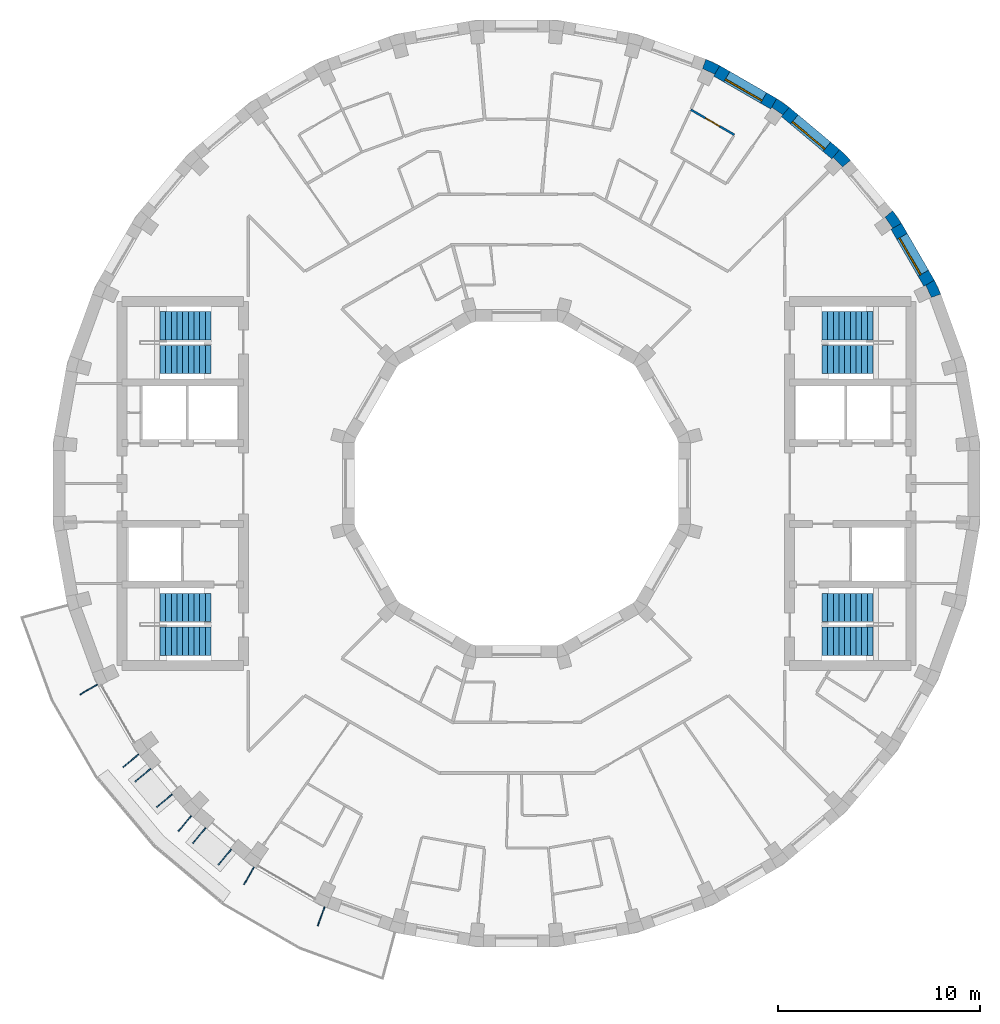
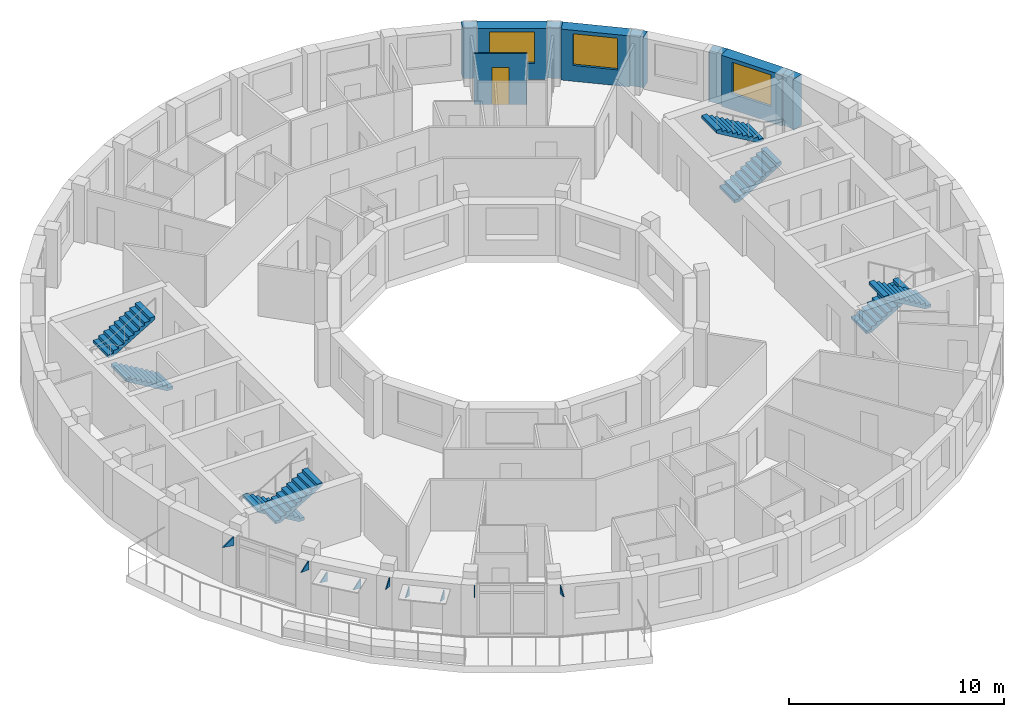
# One storey, part 11 of 12: 9 discrete accessories, 9 walls, 8 stair flights, 3 windows, 1 door, 4 openings, 4 elements without a shape of their own.
"""IFC4 building model written with IfcOpenShell, lengths in metres."""

from ifc_helpers import new_model, si_unit, direction, frame, frame_2d, origin, place, context, subcontext, project, spatial, polyline, rectangle, outline, extrude, material, layer, layer_set, type_object, element, fill, aggregate, save


model = new_model("IFC4")

# Units and contexts
model_context = context("Model", 3, precision=1e-05, world=origin(), true_north=direction((0.0, 1.0)))
body_context = subcontext(model_context, "Body", "Model", "MODEL_VIEW")
ifc_project = project(units=[si_unit("LENGTHUNIT", "METRE"), si_unit("AREAUNIT", "SQUARE_METRE"), si_unit("VOLUMEUNIT", "CUBIC_METRE"), si_unit("PLANEANGLEUNIT", "RADIAN"), si_unit("MASSUNIT", "GRAM", prefix="KILO")], contexts=[model_context])

# Site, building, storey
site_placement = place(None, origin())
site = spatial("IfcSite", under=ifc_project, at=site_placement, CompositionType="ELEMENT")
building_placement = place(site_placement, origin())
building = spatial("IfcBuilding", under=site, at=building_placement, Name="Saqina Gate Tower", CompositionType="ELEMENT")
storey_placement = place(building_placement, frame((0.0, 0.0, 262.699951171875)))
storey = spatial("IfcBuildingStorey", under=building, at=storey_placement, Name="L75", CompositionType="ELEMENT", Elevation=262.699951171875)

# Walls
ifc_material_1 = material(Name="Brick masonry (buff)", Category="masonry")
wall_type_1 = type_object("IfcWallType", Name="BRICK PIER COPING BUFF", PredefinedType="SOLIDWALL", material=ifc_material_1)
wall_1_placement = place(storey_placement, origin())
element("IfcWall", 1, at=wall_1_placement, inside=storey, type_object=wall_type_1, Name="Pier cap L75 column 3", PredefinedType="SOLIDWALL", context=body_context, shape_type="SweptSolid", body=[
    extrude(outline(polyline([(20.974609375, 9.3642578125), (20.65576171875, 10.048095703125), (20.135986328125, 9.748291015625), (20.23193359375, 9.79296875), (20.506591796875, 9.203857421875), (20.410888671875, 9.1591796875), (20.974609375, 9.3642578125)])), origin(), (0.0, 0.0, 1.0), 2.900146484375),
])
wall_2_placement = place(storey_placement, origin())
element("IfcWall", 2, at=wall_2_placement, inside=storey, type_object=wall_type_1, Name="Pier cap L75 column 4", PredefinedType="SOLIDWALL", context=body_context, shape_type="SweptSolid", body=[
    extrude(outline(polyline([(19.02978515625, 12.8642578125), (18.59716796875, 13.482421875), (18.137451171875, 13.0966796875), (18.22412109375, 13.157470703125), (18.596923828125, 12.625), (18.51025390625, 12.564208984375), (19.02978515625, 12.8642578125)])), origin(), (0.0, 0.0, 1.0), 2.900146484375),
])
wall_3_placement = place(storey_placement, origin())
element("IfcWall", 3, at=wall_3_placement, inside=storey, type_object=wall_type_1, Name="Pier cap L75 column 5", PredefinedType="SOLIDWALL", context=body_context, shape_type="SweptSolid", body=[
    extrude(outline(polyline([(15.973388671875, 16.5068359375), (15.587646484375, 16.04736328125), (15.662353515625, 16.1220703125), (16.1220703125, 15.662353515625), (16.04736328125, 15.587646484375), (16.5068359375, 15.973388671875), (15.973388671875, 16.5068359375)])), origin(), (0.0, 0.0, 1.0), 2.900146484375),
])
wall_4_placement = place(storey_placement, origin())
element("IfcWall", 4, at=wall_4_placement, inside=storey, type_object=wall_type_1, Name="Pier cap L75 column 6", PredefinedType="SOLIDWALL", context=body_context, shape_type="SweptSolid", body=[
    extrude(outline(polyline([(12.8642578125, 19.02978515625), (12.564208984375, 18.51025390625), (12.625, 18.596923828125), (13.157470703125, 18.22412109375), (13.0966796875, 18.137451171875), (13.482421875, 18.59716796875), (12.8642578125, 19.02978515625)])), origin(), (0.0, 0.0, 1.0), 2.900146484375),
])
wall_5_placement = place(storey_placement, origin())
element("IfcWall", 5, at=wall_5_placement, inside=storey, type_object=wall_type_1, Name="Pier cap L75 column 7", PredefinedType="SOLIDWALL", context=body_context, shape_type="SweptSolid", body=[
    extrude(outline(polyline([(10.048095703125, 20.65576171875), (9.3642578125, 20.974609375), (9.1591796875, 20.410888671875), (9.203857421875, 20.506591796875), (9.79296875, 20.23193359375), (9.748291015625, 20.135986328125), (10.048095703125, 20.65576171875)])), origin(), (0.0, 0.0, 1.0), 2.900146484375),
])

# Wall, opening, window
ifc_material_2 = material(Name="Brick masonry (buff)", Category="masonry")
ifc_layer_1 = layer(ifc_material_2, 0.60009765625)
ifc_layer_set_1 = layer_set([ifc_layer_1], Name="FW-BRICK-BUFF")
wall_type_2 = type_object("IfcWallType", Name="FW-BRICK-BUFF", PredefinedType="SOLIDWALL", material=ifc_layer_set_1)
wall_6_placement = place(storey_placement, frame((20.39599609375, 9.898193359375, 0.0), z_axis=(0.0, 0.0, 1.0), x_axis=(-0.500014901547, 0.866016800201, 0.0)))
wall_6 = element("IfcWall", 6, at=wall_6_placement, inside=storey, type_object=wall_type_2, Name="Facade wall L75 facet 3", PredefinedType="SOLIDWALL", context=body_context, shape_type="SweptSolid", body=[
    extrude(rectangle(XDim=3.251953125, YDim=0.60009765625, at=frame_2d((1.6259765625, 0.0))), origin(), (0.0, 0.0, 1.0), 2.900146484375),
])
opening_1_placement = place(wall_6_placement, frame((0.57568359375, 0.0, 0.89990234375)))
opening_1 = element("IfcOpeningElement", 7, at=opening_1_placement, cuts=wall_6, Name="Opening G22-W01", PredefinedType="OPENING", context=body_context, shape_type="SweptSolid", body=[
    extrude(rectangle(XDim=2.10009765625, YDim=1.800048828125, at=frame_2d((1.050048828125, 0.89990234375))), frame((0.0, 0.31201171875, 0.0), z_axis=(0.0, -1.0, 0.0), x_axis=(1.0, 0.0, 0.0)), (0.0, 0.0, 1.0), 0.6240234375),
])
ifc_material_3 = material(Name="Aluminium glazing", Category="aluminium")
window_type = type_object("IfcWindowType", Name="WN-D", PartitioningType="SINGLE_PANEL", PredefinedType="WINDOW", material=ifc_material_3)
window_1_placement = place(opening_1_placement, origin())
window_1 = element("IfcWindow", 8, at=window_1_placement, inside=storey, type_object=window_type, Name="Window L75 facet 3", OverallHeight=1.800048828125, OverallWidth=2.10009765625, PartitioningType="SINGLE_PANEL", PredefinedType="WINDOW", context=body_context, shape_type="SweptSolid", body=[
    extrude(rectangle(XDim=2.10009765625, YDim=1.800048828125, at=frame_2d((1.050048828125, 0.89990234375))), frame((0.0, 0.179931640625, 0.0), z_axis=(0.0, -1.0, 0.0), x_axis=(1.0, 0.0, 0.0)), (0.0, 0.0, 1.0), 0.06005859375),
])
fill(opening_1, window_1)

wall_7_placement = place(storey_placement, frame((15.780517578125, 16.277099609375, 0.0), z_axis=(0.0, 0.0, 1.0), x_axis=(-0.766056773982, 0.64277291405, 0.0)))
wall_7 = element("IfcWall", 9, at=wall_7_placement, inside=storey, type_object=wall_type_2, Name="Facade wall L75 facet 5", PredefinedType="SOLIDWALL", context=body_context, shape_type="SweptSolid", body=[
    extrude(rectangle(XDim=3.251708984375, YDim=0.60009765625, at=frame_2d((1.6259765625, 0.0))), origin(), (0.0, 0.0, 1.0), 2.900146484375),
])
opening_2_placement = place(wall_7_placement, frame((0.57568359375, 0.0, 0.89990234375)))
opening_2 = element("IfcOpeningElement", 10, at=opening_2_placement, cuts=wall_7, Name="Opening G22-W03", PredefinedType="OPENING", context=body_context, shape_type="SweptSolid", body=[
    extrude(rectangle(XDim=2.10009765625, YDim=1.800048828125, at=frame_2d((1.050048828125, 0.89990234375))), frame((0.0, 0.31201171875, 0.0), z_axis=(0.0, -1.0, 0.0), x_axis=(1.0, 0.0, 0.0)), (0.0, 0.0, 1.0), 0.6240234375),
])
window_2_placement = place(opening_2_placement, origin())
window_2 = element("IfcWindow", 11, at=window_2_placement, inside=storey, type_object=window_type, Name="Window L75 facet 5", OverallHeight=1.800048828125, OverallWidth=2.10009765625, PartitioningType="SINGLE_PANEL", PredefinedType="WINDOW", context=body_context, shape_type="SweptSolid", body=[
    extrude(rectangle(XDim=2.10009765625, YDim=1.800048828125, at=frame_2d((1.050048828125, 0.89990234375))), frame((0.0, 0.179931640625, 0.0), z_axis=(0.0, -1.0, 0.0), x_axis=(1.0, 0.0, 0.0)), (0.0, 0.0, 1.0), 0.06005859375),
])
fill(opening_2, window_2)

wall_8_placement = place(storey_placement, frame((12.71435546875, 18.77001953125, 0.0), z_axis=(0.0, 0.0, 1.0), x_axis=(-0.866016800201, 0.500014901547, 0.0)))
wall_8 = element("IfcWall", 12, at=wall_8_placement, inside=storey, type_object=wall_type_2, Name="Facade wall L75 facet 6", PredefinedType="SOLIDWALL", context=body_context, shape_type="SweptSolid", body=[
    extrude(rectangle(XDim=3.251953125, YDim=0.60009765625, at=frame_2d((1.6259765625, 0.0))), origin(), (0.0, 0.0, 1.0), 2.900146484375),
])
opening_3_placement = place(wall_8_placement, frame((0.57568359375, 0.0, 0.89990234375)))
opening_3 = element("IfcOpeningElement", 13, at=opening_3_placement, cuts=wall_8, Name="Opening G22-W04", PredefinedType="OPENING", context=body_context, shape_type="SweptSolid", body=[
    extrude(rectangle(XDim=2.10009765625, YDim=1.800048828125, at=frame_2d((1.050048828125, 0.89990234375))), frame((0.0, 0.31201171875, 0.0), z_axis=(0.0, -1.0, 0.0), x_axis=(1.0, 0.0, 0.0)), (0.0, 0.0, 1.0), 0.6240234375),
])
window_3_placement = place(opening_3_placement, origin())
window_3 = element("IfcWindow", 14, at=window_3_placement, inside=storey, type_object=window_type, Name="Window L75 facet 6", OverallHeight=1.800048828125, OverallWidth=2.10009765625, PartitioningType="SINGLE_PANEL", PredefinedType="WINDOW", context=body_context, shape_type="SweptSolid", body=[
    extrude(rectangle(XDim=2.10009765625, YDim=1.800048828125, at=frame_2d((1.050048828125, 0.89990234375))), frame((0.0, 0.179931640625, 0.0), z_axis=(0.0, -1.0, 0.0), x_axis=(1.0, 0.0, 0.0)), (0.0, 0.0, 1.0), 0.06005859375),
])
fill(opening_3, window_3)

# Wall, opening, door
ifc_material_4 = material(Name="Gypsum board on steel studs, 100 mm", Category="steel")
ifc_layer_2 = layer(ifc_material_4, 0.10009765625)
ifc_layer_set_2 = layer_set([ifc_layer_2], Name="PARTITION 100")
wall_type_3 = type_object("IfcWallType", Name="PARTITION 100", PredefinedType="PARTITIONING", material=ifc_layer_set_2)
wall_9_placement = place(storey_placement, frame((8.616943359375, 18.47998046875, 0.0), z_axis=(0.0, 0.0, 1.0), x_axis=(0.866053128592, -0.49995197615, 0.0)))
wall_9 = element("IfcWall", 15, at=wall_9_placement, inside=storey, type_object=wall_type_3, Name="PARTITION PW3-21", PredefinedType="PARTITIONING", context=body_context, shape_type="SweptSolid", body=[
    extrude(rectangle(XDim=2.486083984375, YDim=0.10009765625, at=frame_2d((1.2431640625, 0.0))), origin(), (0.0, 0.0, 1.0), 2.900146484375),
])
opening_4_placement = place(wall_9_placement, frame((0.843017578125, 0.0, 0.0)))
opening_4 = element("IfcOpeningElement", 16, at=opening_4_placement, cuts=wall_9, Name="Opening G22-D05", PredefinedType="OPENING", context=body_context, shape_type="SweptSolid", body=[
    extrude(rectangle(XDim=0.800048828125, YDim=2.10009765625, at=frame_2d((0.39990234375, 1.050048828125))), frame((0.0, 0.06201171875, 0.0), z_axis=(0.0, -1.0, 0.0), x_axis=(1.0, 0.0, 0.0)), (0.0, 0.0, 1.0), 0.1240234375),
])
ifc_material_5 = material(Name="Timber door leaf, 800 mm", Category="wood")
door_type = type_object("IfcDoorType", Name="DOOR 800 TIMBER", OperationType="SINGLE_SWING_LEFT", PredefinedType="DOOR", material=ifc_material_5)
door_placement = place(opening_4_placement, origin())
door = element("IfcDoor", 17, at=door_placement, inside=storey, type_object=door_type, Name="DOOR G22-D05", OperationType="SINGLE_SWING_LEFT", OverallHeight=2.10009765625, OverallWidth=0.800048828125, PredefinedType="DOOR", context=body_context, shape_type="SweptSolid", body=[
    extrude(rectangle(XDim=0.800048828125, YDim=2.10009765625, at=frame_2d((0.39990234375, 1.050048828125))), frame((0.0, 0.02490234375, 0.0), z_axis=(0.0, -1.0, 0.0), x_axis=(1.0, 0.0, 0.0)), (0.0, 0.0, 1.0), 0.050048828125),
])
fill(opening_4, door)

# Stair, stair flights
ifc_material_6 = material(Name="Concrete C40/50", Category="concrete")
stair_type = type_object("IfcStairType", Name="EXIT STAIR", PredefinedType="HALF_TURN_STAIR", material=ifc_material_6)
stair_1_placement = place(storey_placement, origin())
stair_1 = element("IfcStair", 18, at=stair_1_placement, inside=storey, type_object=stair_type, Name="EXIT STAIR 1", PredefinedType="HALF_TURN_STAIR")
ifc_material_7 = material(Name="Concrete C40/50", Category="concrete")
stair_flight_type = type_object("IfcStairFlightType", Name="EXIT STAIR FLIGHT", PredefinedType="STRAIGHT", material=ifc_material_7)
stair_flight_1_placement = place(storey_placement, frame((15.10009765625, 6.13330078125, 0.0), z_axis=(0.0, 0.0, 1.0), x_axis=(1.0, 0.0, 0.0)))
stair_flight_1 = element("IfcStairFlight", 19, at=stair_flight_1_placement, type_object=stair_flight_type, Name="EXIT STAIR 1 FLIGHT 1", NumberOfRisers=10, NumberOfTreads=9, PredefinedType="STRAIGHT", RiserHeight=0.165, TreadLength=0.28, context=body_context, shape_type="SweptSolid", body=[
    extrude(outline(polyline([(0.0, 0.0), (0.0, 0.1650390625), (0.280029296875, 0.1650390625), (0.280029296875, 0.330078125), (0.56005859375, 0.330078125), (0.56005859375, 0.4951171875), (0.840087890625, 0.4951171875), (0.840087890625, 0.659912109375), (1.1201171875, 0.659912109375), (1.1201171875, 0.824951171875), (1.39990234375, 0.824951171875), (1.39990234375, 0.989990234375), (1.679931640625, 0.989990234375), (1.679931640625, 1.155029296875), (1.9599609375, 1.155029296875), (1.9599609375, 1.320068359375), (2.239990234375, 1.320068359375), (2.239990234375, 1.485107421875), (2.52001953125, 1.485107421875), (2.52001953125, 1.64990234375), (2.52001953125, 1.31103515625), (0.295166015625, 0.0), (0.0, 0.0)])), frame((0.0, 0.699951171875, 0.0), z_axis=(0.0, -1.0, 0.0), x_axis=(1.0, 0.0, 0.0)), (0.0, 0.0, 1.0), 1.39990234375),
])
stair_flight_2_placement = place(storey_placement, frame((17.6201171875, 7.791748046875, 1.650146484375), z_axis=(0.0, 0.0, 1.0), x_axis=(-1.0, 0.0, 0.0)))
stair_flight_2 = element("IfcStairFlight", 20, at=stair_flight_2_placement, type_object=stair_flight_type, Name="EXIT STAIR 1 FLIGHT 2", NumberOfRisers=10, NumberOfTreads=9, PredefinedType="STRAIGHT", RiserHeight=0.165, TreadLength=0.28, context=body_context, shape_type="SweptSolid", body=[
    extrude(outline(polyline([(0.0, 0.0), (0.0, 0.1650390625), (0.280029296875, 0.1650390625), (0.280029296875, 0.330078125), (0.56005859375, 0.330078125), (0.56005859375, 0.4951171875), (0.840087890625, 0.4951171875), (0.840087890625, 0.659912109375), (1.1201171875, 0.659912109375), (1.1201171875, 0.824951171875), (1.39990234375, 0.824951171875), (1.39990234375, 0.989990234375), (1.679931640625, 0.989990234375), (1.679931640625, 1.155029296875), (1.9599609375, 1.155029296875), (1.9599609375, 1.320068359375), (2.239990234375, 1.320068359375), (2.239990234375, 1.485107421875), (2.52001953125, 1.485107421875), (2.52001953125, 1.64990234375), (2.52001953125, 1.31103515625), (0.295166015625, 0.0), (0.0, 0.0)])), frame((0.0, 0.699951171875, 0.0), z_axis=(0.0, -1.0, 0.0), x_axis=(1.0, 0.0, 0.0)), (0.0, 0.0, 1.0), 1.39990234375),
])
aggregate(stair_1, [stair_flight_1, stair_flight_2])

stair_2_placement = place(storey_placement, origin())
stair_2 = element("IfcStair", 21, at=stair_2_placement, inside=storey, type_object=stair_type, Name="EXIT STAIR 2", PredefinedType="HALF_TURN_STAIR")
stair_flight_3_placement = place(storey_placement, frame((15.10009765625, -6.13330078125, 0.0), z_axis=(0.0, 0.0, 1.0), x_axis=(1.0, 0.0, 0.0)))
stair_flight_3 = element("IfcStairFlight", 22, at=stair_flight_3_placement, type_object=stair_flight_type, Name="EXIT STAIR 2 FLIGHT 1", NumberOfRisers=10, NumberOfTreads=9, PredefinedType="STRAIGHT", RiserHeight=0.165, TreadLength=0.28, context=body_context, shape_type="SweptSolid", body=[
    extrude(outline(polyline([(0.0, 0.0), (0.0, 0.1650390625), (0.280029296875, 0.1650390625), (0.280029296875, 0.330078125), (0.56005859375, 0.330078125), (0.56005859375, 0.4951171875), (0.840087890625, 0.4951171875), (0.840087890625, 0.659912109375), (1.1201171875, 0.659912109375), (1.1201171875, 0.824951171875), (1.39990234375, 0.824951171875), (1.39990234375, 0.989990234375), (1.679931640625, 0.989990234375), (1.679931640625, 1.155029296875), (1.9599609375, 1.155029296875), (1.9599609375, 1.320068359375), (2.239990234375, 1.320068359375), (2.239990234375, 1.485107421875), (2.52001953125, 1.485107421875), (2.52001953125, 1.64990234375), (2.52001953125, 1.31103515625), (0.295166015625, 0.0), (0.0, 0.0)])), frame((0.0, 0.699951171875, 0.0), z_axis=(0.0, -1.0, 0.0), x_axis=(1.0, 0.0, 0.0)), (0.0, 0.0, 1.0), 1.39990234375),
])
stair_flight_4_placement = place(storey_placement, frame((17.6201171875, -7.791748046875, 1.650146484375), z_axis=(0.0, 0.0, 1.0), x_axis=(-1.0, 0.0, 0.0)))
stair_flight_4 = element("IfcStairFlight", 23, at=stair_flight_4_placement, type_object=stair_flight_type, Name="EXIT STAIR 2 FLIGHT 2", NumberOfRisers=10, NumberOfTreads=9, PredefinedType="STRAIGHT", RiserHeight=0.165, TreadLength=0.28, context=body_context, shape_type="SweptSolid", body=[
    extrude(outline(polyline([(0.0, 0.0), (0.0, 0.1650390625), (0.280029296875, 0.1650390625), (0.280029296875, 0.330078125), (0.56005859375, 0.330078125), (0.56005859375, 0.4951171875), (0.840087890625, 0.4951171875), (0.840087890625, 0.659912109375), (1.1201171875, 0.659912109375), (1.1201171875, 0.824951171875), (1.39990234375, 0.824951171875), (1.39990234375, 0.989990234375), (1.679931640625, 0.989990234375), (1.679931640625, 1.155029296875), (1.9599609375, 1.155029296875), (1.9599609375, 1.320068359375), (2.239990234375, 1.320068359375), (2.239990234375, 1.485107421875), (2.52001953125, 1.485107421875), (2.52001953125, 1.64990234375), (2.52001953125, 1.31103515625), (0.295166015625, 0.0), (0.0, 0.0)])), frame((0.0, 0.699951171875, 0.0), z_axis=(0.0, -1.0, 0.0), x_axis=(1.0, 0.0, 0.0)), (0.0, 0.0, 1.0), 1.39990234375),
])
aggregate(stair_2, [stair_flight_3, stair_flight_4])

stair_3_placement = place(storey_placement, origin())
stair_3 = element("IfcStair", 24, at=stair_3_placement, inside=storey, type_object=stair_type, Name="EXIT STAIR 3", PredefinedType="HALF_TURN_STAIR")
stair_flight_5_placement = place(storey_placement, frame((-15.10009765625, 6.13330078125, 0.0), z_axis=(0.0, 0.0, 1.0), x_axis=(-1.0, 0.0, 0.0)))
stair_flight_5 = element("IfcStairFlight", 25, at=stair_flight_5_placement, type_object=stair_flight_type, Name="EXIT STAIR 3 FLIGHT 1", NumberOfRisers=10, NumberOfTreads=9, PredefinedType="STRAIGHT", RiserHeight=0.165, TreadLength=0.28, context=body_context, shape_type="SweptSolid", body=[
    extrude(outline(polyline([(0.0, 0.0), (0.0, 0.1650390625), (0.280029296875, 0.1650390625), (0.280029296875, 0.330078125), (0.56005859375, 0.330078125), (0.56005859375, 0.4951171875), (0.840087890625, 0.4951171875), (0.840087890625, 0.659912109375), (1.1201171875, 0.659912109375), (1.1201171875, 0.824951171875), (1.39990234375, 0.824951171875), (1.39990234375, 0.989990234375), (1.679931640625, 0.989990234375), (1.679931640625, 1.155029296875), (1.9599609375, 1.155029296875), (1.9599609375, 1.320068359375), (2.239990234375, 1.320068359375), (2.239990234375, 1.485107421875), (2.52001953125, 1.485107421875), (2.52001953125, 1.64990234375), (2.52001953125, 1.31103515625), (0.295166015625, 0.0), (0.0, 0.0)])), frame((0.0, 0.699951171875, 0.0), z_axis=(0.0, -1.0, 0.0), x_axis=(1.0, 0.0, 0.0)), (0.0, 0.0, 1.0), 1.39990234375),
])
stair_flight_6_placement = place(storey_placement, frame((-17.6201171875, 7.791748046875, 1.650146484375), z_axis=(0.0, 0.0, 1.0), x_axis=(1.0, 0.0, 0.0)))
stair_flight_6 = element("IfcStairFlight", 26, at=stair_flight_6_placement, type_object=stair_flight_type, Name="EXIT STAIR 3 FLIGHT 2", NumberOfRisers=10, NumberOfTreads=9, PredefinedType="STRAIGHT", RiserHeight=0.165, TreadLength=0.28, context=body_context, shape_type="SweptSolid", body=[
    extrude(outline(polyline([(0.0, 0.0), (0.0, 0.1650390625), (0.280029296875, 0.1650390625), (0.280029296875, 0.330078125), (0.56005859375, 0.330078125), (0.56005859375, 0.4951171875), (0.840087890625, 0.4951171875), (0.840087890625, 0.659912109375), (1.1201171875, 0.659912109375), (1.1201171875, 0.824951171875), (1.39990234375, 0.824951171875), (1.39990234375, 0.989990234375), (1.679931640625, 0.989990234375), (1.679931640625, 1.155029296875), (1.9599609375, 1.155029296875), (1.9599609375, 1.320068359375), (2.239990234375, 1.320068359375), (2.239990234375, 1.485107421875), (2.52001953125, 1.485107421875), (2.52001953125, 1.64990234375), (2.52001953125, 1.31103515625), (0.295166015625, 0.0), (0.0, 0.0)])), frame((0.0, 0.699951171875, 0.0), z_axis=(0.0, -1.0, 0.0), x_axis=(1.0, 0.0, 0.0)), (0.0, 0.0, 1.0), 1.39990234375),
])
aggregate(stair_3, [stair_flight_5, stair_flight_6])

stair_4_placement = place(storey_placement, origin())
stair_4 = element("IfcStair", 27, at=stair_4_placement, inside=storey, type_object=stair_type, Name="EXIT STAIR 4", PredefinedType="HALF_TURN_STAIR")
stair_flight_7_placement = place(storey_placement, frame((-15.10009765625, -6.13330078125, 0.0), z_axis=(0.0, 0.0, 1.0), x_axis=(-1.0, 0.0, 0.0)))
stair_flight_7 = element("IfcStairFlight", 28, at=stair_flight_7_placement, type_object=stair_flight_type, Name="EXIT STAIR 4 FLIGHT 1", NumberOfRisers=10, NumberOfTreads=9, PredefinedType="STRAIGHT", RiserHeight=0.165, TreadLength=0.28, context=body_context, shape_type="SweptSolid", body=[
    extrude(outline(polyline([(0.0, 0.0), (0.0, 0.1650390625), (0.280029296875, 0.1650390625), (0.280029296875, 0.330078125), (0.56005859375, 0.330078125), (0.56005859375, 0.4951171875), (0.840087890625, 0.4951171875), (0.840087890625, 0.659912109375), (1.1201171875, 0.659912109375), (1.1201171875, 0.824951171875), (1.39990234375, 0.824951171875), (1.39990234375, 0.989990234375), (1.679931640625, 0.989990234375), (1.679931640625, 1.155029296875), (1.9599609375, 1.155029296875), (1.9599609375, 1.320068359375), (2.239990234375, 1.320068359375), (2.239990234375, 1.485107421875), (2.52001953125, 1.485107421875), (2.52001953125, 1.64990234375), (2.52001953125, 1.31103515625), (0.295166015625, 0.0), (0.0, 0.0)])), frame((0.0, 0.699951171875, 0.0), z_axis=(0.0, -1.0, 0.0), x_axis=(1.0, 0.0, 0.0)), (0.0, 0.0, 1.0), 1.39990234375),
])
stair_flight_8_placement = place(storey_placement, frame((-17.6201171875, -7.791748046875, 1.650146484375), z_axis=(0.0, 0.0, 1.0), x_axis=(1.0, 0.0, 0.0)))
stair_flight_8 = element("IfcStairFlight", 29, at=stair_flight_8_placement, type_object=stair_flight_type, Name="EXIT STAIR 4 FLIGHT 2", NumberOfRisers=10, NumberOfTreads=9, PredefinedType="STRAIGHT", RiserHeight=0.165, TreadLength=0.28, context=body_context, shape_type="SweptSolid", body=[
    extrude(outline(polyline([(0.0, 0.0), (0.0, 0.1650390625), (0.280029296875, 0.1650390625), (0.280029296875, 0.330078125), (0.56005859375, 0.330078125), (0.56005859375, 0.4951171875), (0.840087890625, 0.4951171875), (0.840087890625, 0.659912109375), (1.1201171875, 0.659912109375), (1.1201171875, 0.824951171875), (1.39990234375, 0.824951171875), (1.39990234375, 0.989990234375), (1.679931640625, 0.989990234375), (1.679931640625, 1.155029296875), (1.9599609375, 1.155029296875), (1.9599609375, 1.320068359375), (2.239990234375, 1.320068359375), (2.239990234375, 1.485107421875), (2.52001953125, 1.485107421875), (2.52001953125, 1.64990234375), (2.52001953125, 1.31103515625), (0.295166015625, 0.0), (0.0, 0.0)])), frame((0.0, 0.699951171875, 0.0), z_axis=(0.0, -1.0, 0.0), x_axis=(1.0, 0.0, 0.0)), (0.0, 0.0, 1.0), 1.39990234375),
])
aggregate(stair_4, [stair_flight_7, stair_flight_8])

# Discrete accessories
ifc_material_8 = material(Name="Galvanised steel", Category="steel")
ifc_layer_3 = layer(ifc_material_8, 0.050048828125)
ifc_layer_set_3 = layer_set([ifc_layer_3], Name="BR-AWNING")
discrete_accessory_type_1 = type_object("IfcDiscreteAccessoryType", Name="BR-AWNING", PredefinedType="BRACKET", material=ifc_layer_set_3)
discrete_accessory_1_placement = place(storey_placement, frame((-18.06689453125, -14.114501953125, 1.97509765625), z_axis=(0.64275098807, -0.766075170812, 0.0), x_axis=(0.0, 0.0, 1.0)))
element("IfcDiscreteAccessory", 30, at=discrete_accessory_1_placement, inside=storey, type_object=discrete_accessory_type_1, Name="Awning bracket L75 facet 22", PredefinedType="BRACKET", context=body_context, shape_type="SweptSolid", body=[
    extrude(outline(polyline([(0.0, 0.0), (0.550048828125, 0.0), (0.550048828125, 0.9997310574800564), (0.0, 0.0)])), origin(), (0.0, 0.0, -1.0), 0.050048828125),
])
discrete_accessory_2_placement = place(storey_placement, frame((-17.005126953125, -15.379638671875, 1.97509765625), z_axis=(0.642894271969, -0.765954930181, 0.0), x_axis=(0.0, 0.0, 1.0)))
element("IfcDiscreteAccessory", 31, at=discrete_accessory_2_placement, inside=storey, type_object=discrete_accessory_type_1, Name="Awning bracket L75 facet 22", PredefinedType="BRACKET", context=body_context, shape_type="SweptSolid", body=[
    extrude(outline(polyline([(0.0, 0.0), (0.550048828125, 0.0), (0.550048828125, 0.9998879966000863), (0.0, 0.0)])), origin(), (0.0, 0.0, -1.0), 0.050048828125),
])
for number, where, z_axis, x_axis, name in (
    (32, (-15.34130859375, -17.037109375, 1.97509765625), (0.766055819685, -0.64277405138, 0.0), (0.0, 0.0, 1.0), "Awning bracket L75 facet 23"),
    (33, (-14.076171875, -18.098876953125, 1.97509765625), (0.766055819685, -0.64277405138, 0.0), (0.0, 0.0, 1.0), "Awning bracket L75 facet 23"),
):
    element("IfcDiscreteAccessory", number, at=place(storey_placement, frame(where, z_axis=z_axis, x_axis=x_axis)), inside=storey, type_object=discrete_accessory_type_1, Name=name, PredefinedType="BRACKET", context=body_context, shape_type="SweptSolid", body=[
        extrude(outline(polyline([(0.0, 0.0), (0.550048828125, 0.0), (0.550048828125, 1.0000750096322273), (0.0, 0.0)])), origin(), (0.0, 0.0, -1.0), 0.050048828125),
    ])
ifc_material_9 = material(Name="Galvanised steel", Category="steel")
ifc_layer_4 = layer(ifc_material_9, 0.050048828125)
ifc_layer_set_4 = layer_set([ifc_layer_4], Name="BR-GUSSET")
discrete_accessory_type_2 = type_object("IfcDiscreteAccessoryType", Name="BR-GUSSET", PredefinedType="BRACKET", material=ifc_layer_set_4)
discrete_accessory_3_placement = place(storey_placement, frame((-20.70751953125, -9.95849609375, 2.400146484375), z_axis=(0.50002537861, -0.866010750942, 0.0), x_axis=(0.0, 0.0, 1.0)))
element("IfcDiscreteAccessory", 34, at=discrete_accessory_3_placement, inside=storey, type_object=discrete_accessory_type_2, Name="Terrace slab bracket L76 1", PredefinedType="BRACKET", context=body_context, shape_type="SweptSolid", body=[
    extrude(outline(polyline([(0.0, 0.0), (0.5, 0.0), (0.5, 0.9999492453569568), (0.0, 0.0)])), origin(), (0.0, 0.0, -1.0), 0.050048828125),
])
discrete_accessory_4_placement = place(storey_placement, frame((-18.663818359375, -13.40283203125, 2.400146484375), z_axis=(0.642894271969, -0.765954930181, 0.0), x_axis=(0.0, 0.0, 1.0)))
element("IfcDiscreteAccessory", 35, at=discrete_accessory_4_placement, inside=storey, type_object=discrete_accessory_type_2, Name="Terrace slab bracket L76 2", PredefinedType="BRACKET", context=body_context, shape_type="SweptSolid", body=[
    extrude(outline(polyline([(0.0, 0.0), (0.5, 0.0), (0.5, 0.9998879966000863), (0.0, 0.0)])), origin(), (0.0, 0.0, -1.0), 0.050048828125),
])
discrete_accessory_5_placement = place(storey_placement, frame((-16.052734375, -16.440185546875, 2.400146484375), z_axis=(0.766055819685, -0.64277405138, 0.0), x_axis=(0.0, 0.0, 1.0)))
element("IfcDiscreteAccessory", 36, at=discrete_accessory_5_placement, inside=storey, type_object=discrete_accessory_type_2, Name="Terrace slab bracket L76 3", PredefinedType="BRACKET", context=body_context, shape_type="SweptSolid", body=[
    extrude(outline(polyline([(0.0, 0.0), (0.5, 0.0), (0.5, 1.0000750096322275), (0.0, 0.0)])), origin(), (0.0, 0.0, -1.0), 0.050048828125),
])
discrete_accessory_6_placement = place(storey_placement, frame((-12.9541015625, -18.97802734375, 2.400146484375), z_axis=(0.866010750942, -0.50002537861, 0.0), x_axis=(0.0, 0.0, 1.0)))
element("IfcDiscreteAccessory", 37, at=discrete_accessory_6_placement, inside=storey, type_object=discrete_accessory_type_2, Name="Terrace slab bracket L76 4", PredefinedType="BRACKET", context=body_context, shape_type="SweptSolid", body=[
    extrude(outline(polyline([(0.0, 0.0), (0.5, 0.0), (0.5, 0.9999492453569568), (0.0, 0.0)])), origin(), (0.0, 0.0, -1.0), 0.050048828125),
])
discrete_accessory_7_placement = place(storey_placement, frame((-9.4619140625, -20.939208984375, 2.400146484375), z_axis=(0.939764905391, -0.341821477669, 0.0), x_axis=(0.0, 0.0, 1.0)))
element("IfcDiscreteAccessory", 38, at=discrete_accessory_7_placement, inside=storey, type_object=discrete_accessory_type_2, Name="Terrace slab bracket L76 5", PredefinedType="BRACKET", context=body_context, shape_type="SweptSolid", body=[
    extrude(outline(polyline([(0.0, 0.0), (0.5, 0.0), (0.5, 0.999928024801219), (0.0, 0.0)])), origin(), (0.0, 0.0, -1.0), 0.050048828125),
])

save(model, "model.ifc")
